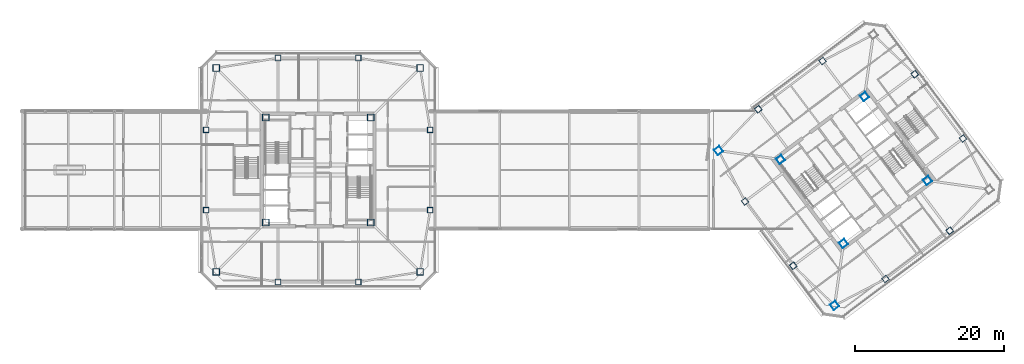
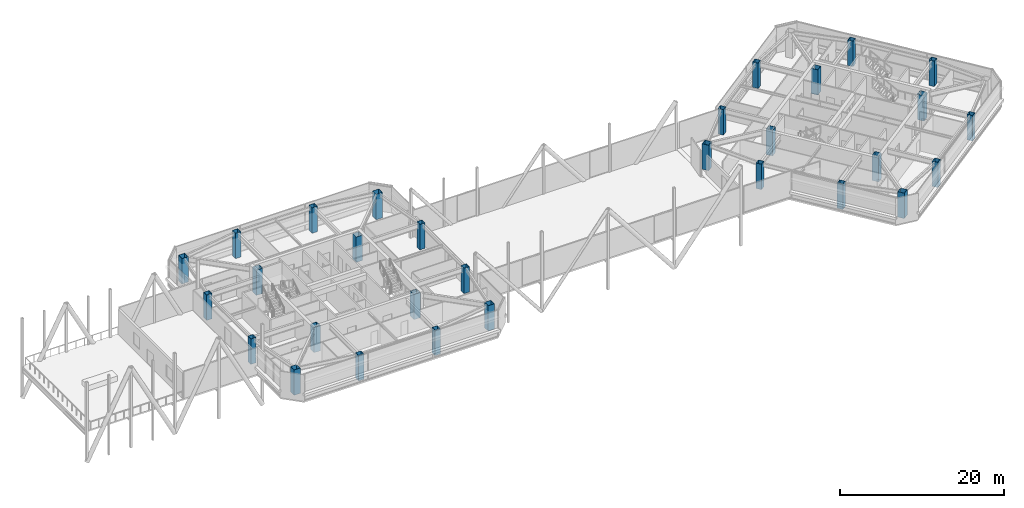
# One storey, part 1 of 53: 30 columns.
"""IFC4 building model written with IfcOpenShell, lengths in metres."""

from ifc_helpers import new_model, si_unit, direction, frame, origin, origin_2d, place, context, subcontext, project, spatial, hollow_rectangle, extrude, material, material_profile, profile_set, type_object, element, save


model = new_model("IFC4")

# Units and contexts
model_context = context("Model", 3, precision=1e-05, world=origin(), true_north=direction((0.0, 1.0)))
body_context = subcontext(model_context, "Body", "Model", "MODEL_VIEW")
ifc_project = project(units=[si_unit("LENGTHUNIT", "METRE"), si_unit("AREAUNIT", "SQUARE_METRE"), si_unit("VOLUMEUNIT", "CUBIC_METRE"), si_unit("PLANEANGLEUNIT", "RADIAN"), si_unit("MASSUNIT", "GRAM", prefix="KILO")], contexts=[model_context])

# Site, building, storey
site_placement = place(None, origin())
site = spatial("IfcSite", under=ifc_project, at=site_placement, CompositionType="ELEMENT")
building_placement = place(site_placement, origin())
building = spatial("IfcBuilding", under=site, at=building_placement, Name="Tashvorn Skyway Center", CompositionType="ELEMENT")
storey_placement = place(building_placement, frame((0.0, 0.0, 255.39990234375)))
storey = spatial("IfcBuildingStorey", under=building, at=storey_placement, Name="L69", CompositionType="ELEMENT", Elevation=255.39990234375)

# Columns
ifc_material = material(Name="Steel ASTM A572 Grade 50", Category="steel")
ifc_material_profile_1 = material_profile(ifc_material, hollow_rectangle(XDim=0.75, YDim=0.75, WallThickness=0.031982421875, at=origin_2d()), Name="BOX750x750x32")
ifc_profile_set_1 = profile_set([ifc_material_profile_1], Name="Steel ASTM A572 Grade 50")
column_type_1 = type_object("IfcColumnType", Name="COL-BOX750x750x32", PredefinedType="COLUMN", material=ifc_profile_set_1)
for number, where, z_axis, x_axis, name in (
    (1, (36.60009765625, 16.949951171875, 0.0), (0.0, 0.0, 1.0), (1.0, 0.0, 0.0), "Tower 1 L69 Perimeter Column FC-S1"),
    (2, (47.39990234375, 16.949951171875, 0.0), (0.0, 0.0, 1.0), (1.0, 0.0, 0.0), "Tower 1 L69 Perimeter Column FC-S2"),
    (3, (57.050048828125, 26.60009765625, 0.0), (0.0, 0.0, 1.0), (1.0, 0.0, 0.0), "Tower 1 L69 Perimeter Column FC-E1"),
    (4, (57.050048828125, 37.39990234375, 0.0), (0.0, 0.0, 1.0), (1.0, 0.0, 0.0), "Tower 1 L69 Perimeter Column FC-E2"),
    (5, (47.39990234375, 47.050048828125, 0.0), (0.0, 0.0, 1.0), (1.0, 0.0, 0.0), "Tower 1 L69 Perimeter Column FC-N1"),
    (6, (36.60009765625, 47.050048828125, 0.0), (0.0, 0.0, 1.0), (1.0, 0.0, 0.0), "Tower 1 L69 Perimeter Column FC-N2"),
    (7, (26.949951171875, 37.39990234375, 0.0), (0.0, 0.0, 1.0), (1.0, 0.0, 0.0), "Tower 1 L69 Perimeter Column FC-W1"),
    (8, (26.949951171875, 26.60009765625, 0.0), (0.0, 0.0, 1.0), (1.0, 0.0, 0.0), "Tower 1 L69 Perimeter Column FC-W2"),
    (9, (118.22998046875, 17.360107421875, 0.0), (0.0, 0.0, 1.0), (0.799999996291, 0.600000004945, 0.0), "Tower 2 L69 Perimeter Column FC-S1"),
    (10, (126.8701171875, 23.840087890625, 0.0), (0.0, 0.0, 1.0), (0.799999996291, 0.600000004945, 0.0), "Tower 2 L69 Perimeter Column FC-S2"),
    (11, (128.639892578125, 36.22998046875, 0.0), (0.0, 0.0, 1.0), (0.799999996291, 0.600000004945, 0.0), "Tower 2 L69 Perimeter Column FC-E1"),
    (12, (122.159912109375, 44.8701171875, 0.0), (0.0, 0.0, 1.0), (0.799999996291, 0.600000004945, 0.0), "Tower 2 L69 Perimeter Column FC-E2"),
    (13, (109.77001953125, 46.639892578125, 0.0), (0.0, 0.0, 1.0), (0.799999996291, 0.600000004945, 0.0), "Tower 2 L69 Perimeter Column FC-N1"),
    (14, (101.1298828125, 40.159912109375, 0.0), (0.0, 0.0, 1.0), (0.799999996291, 0.600000004945, 0.0), "Tower 2 L69 Perimeter Column FC-N2"),
    (15, (99.360107421875, 27.77001953125, 0.0), (0.0, 0.0, 1.0), (0.799999996291, 0.600000004945, 0.0), "Tower 2 L69 Perimeter Column FC-W1"),
    (16, (105.840087890625, 19.1298828125, 0.0), (0.0, 0.0, 1.0), (0.799999996291, 0.600000004945, 0.0), "Tower 2 L69 Perimeter Column FC-W2"),
):
    element("IfcColumn", number, at=place(storey_placement, frame(where, z_axis=z_axis, x_axis=x_axis)), inside=storey, type_object=column_type_1, Name=name, PredefinedType="COLUMN", context=body_context, shape_type="SweptSolid", body=[
        extrude(hollow_rectangle(XDim=0.75, YDim=0.75, WallThickness=0.031982421875, at=origin_2d()), origin(), (0.0, 0.0, 1.0), 3.780029296875),
    ])
ifc_material_profile_2 = material_profile(ifc_material, hollow_rectangle(XDim=0.89990234375, YDim=0.89990234375, WallThickness=0.0400390625, at=origin_2d()), Name="BOX900x900x40")
ifc_profile_set_2 = profile_set([ifc_material_profile_2], Name="Steel ASTM A572 Grade 50")
column_type_2 = type_object("IfcColumnType", Name="COL-BOX900x900x40", PredefinedType="COLUMN", material=ifc_profile_set_2)
for number, where, z_axis, x_axis, name in (
    (17, (34.949951171875, 24.949951171875, 0.0), (0.0, 0.0, 1.0), (1.0, 0.0, 0.0), "Tower 1 L69 Core Corner Column CC-SW"),
    (18, (49.050048828125, 24.949951171875, 0.0), (0.0, 0.0, 1.0), (1.0, 0.0, 0.0), "Tower 1 L69 Core Corner Column CC-SE"),
    (19, (49.050048828125, 39.050048828125, 0.0), (0.0, 0.0, 1.0), (1.0, 0.0, 0.0), "Tower 1 L69 Core Corner Column CC-NE"),
    (20, (34.949951171875, 39.050048828125, 0.0), (0.0, 0.0, 1.0), (1.0, 0.0, 0.0), "Tower 1 L69 Core Corner Column CC-NW"),
    (21, (28.300048828125, 18.300048828125, 0.0), (0.0, 0.0, 1.0), (1.0, 0.0, 0.0), "Tower 1 L69 Mega-Column MC-SW"),
    (22, (55.699951171875, 18.300048828125, 0.0), (0.0, 0.0, 1.0), (1.0, 0.0, 0.0), "Tower 1 L69 Mega-Column MC-SE"),
    (23, (55.699951171875, 45.699951171875, 0.0), (0.0, 0.0, 1.0), (1.0, 0.0, 0.0), "Tower 1 L69 Mega-Column MC-NE"),
    (24, (28.300048828125, 45.699951171875, 0.0), (0.0, 0.0, 1.0), (1.0, 0.0, 0.0), "Tower 1 L69 Mega-Column MC-NW"),
    (25, (112.590087890625, 22.1298828125, 0.0), (0.0, 0.0, 1.0), (0.799999996291, 0.600000004945, 0.0), "Tower 2 L69 Core Corner Column CC-SW"),
    (26, (123.8701171875, 30.590087890625, 0.0), (0.0, 0.0, 1.0), (0.799999996291, 0.600000004945, 0.0), "Tower 2 L69 Core Corner Column CC-SE"),
    (27, (115.409912109375, 41.8701171875, 0.0), (0.0, 0.0, 1.0), (0.799999996291, 0.600000004945, 0.0), "Tower 2 L69 Core Corner Column CC-NE"),
    (28, (104.1298828125, 33.409912109375, 0.0), (0.0, 0.0, 1.0), (0.799999996291, 0.600000004945, 0.0), "Tower 2 L69 Core Corner Column CC-NW"),
    (29, (111.39990234375, 13.800048828125, 0.0), (0.0, 0.0, 1.0), (0.799999996291, 0.600000004945, 0.0), "Tower 2 L69 Mega-Column MC-SW"),
    (30, (95.800048828125, 34.60009765625, 0.0), (0.0, 0.0, 1.0), (0.799999996291, 0.600000004945, 0.0), "Tower 2 L69 Mega-Column MC-NW"),
):
    element("IfcColumn", number, at=place(storey_placement, frame(where, z_axis=z_axis, x_axis=x_axis)), inside=storey, type_object=column_type_2, Name=name, PredefinedType="COLUMN", context=body_context, shape_type="SweptSolid", body=[
        extrude(hollow_rectangle(XDim=0.89990234375, YDim=0.89990234375, WallThickness=0.0400390625, at=origin_2d()), origin(), (0.0, 0.0, 1.0), 3.780029296875),
    ])

save(model, "model.ifc")
